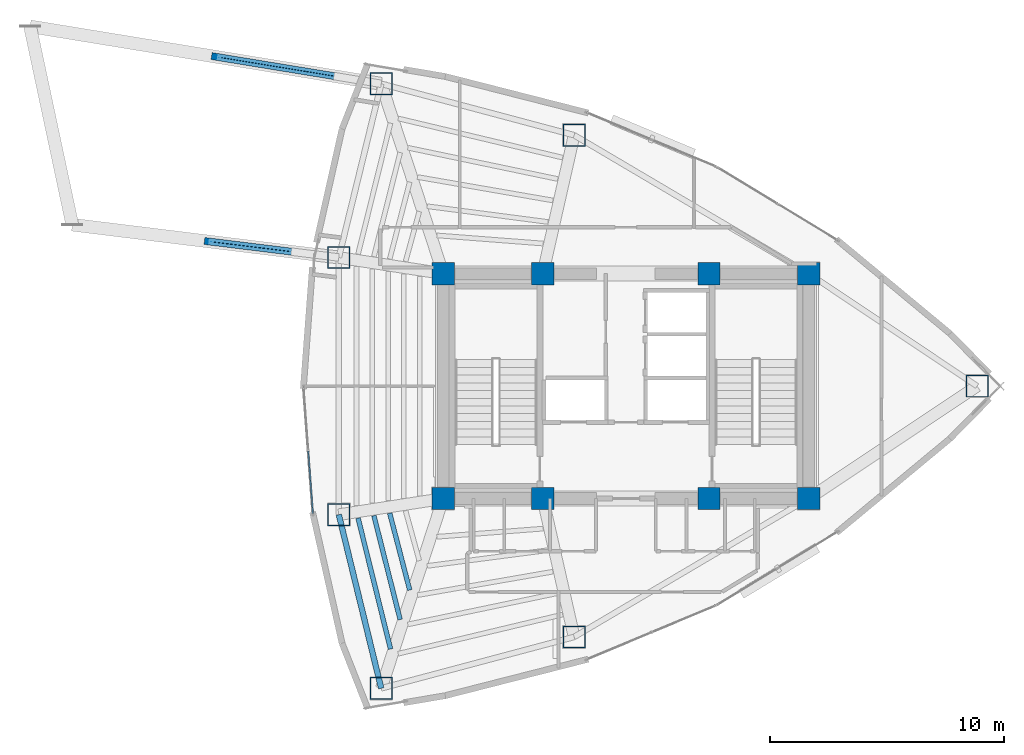
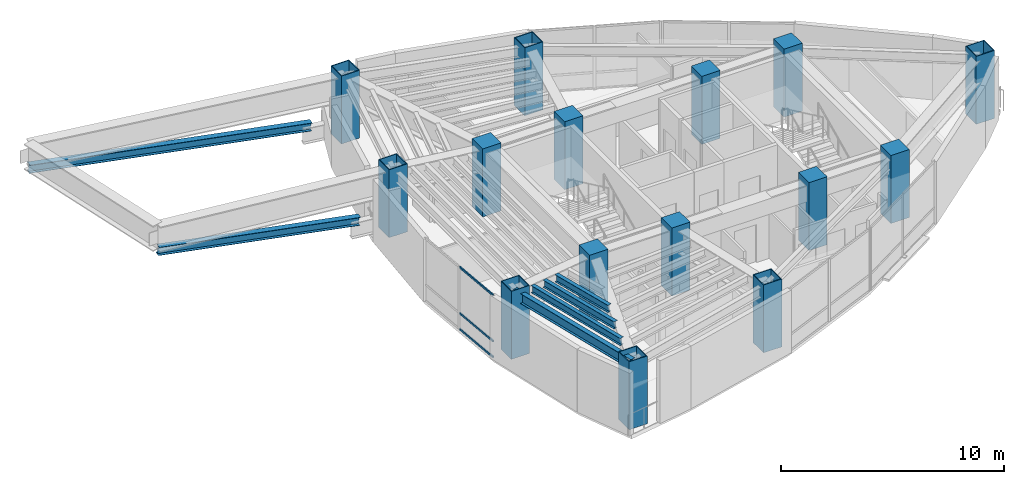
# One storey, part 1 of 14: 17 columns, 4 beams, 3 members, 1 element without a shape of its own.
"""IFC4 building model written with IfcOpenShell, lengths in metres."""

import ifcopenshell
import ifcopenshell.guid

model = None  # the IFC model being written
_history = None  # IfcOwnerHistory: only IFC2X3 demands one
_inside = {}  # id of a spatial element -> (the spatial element, [elements in it])
_under = {}  # id of a project, library or spatial element -> (it, [spatial elements below it])
_declared = {}  # id of a project -> (the project, [libraries it declares])
_typed = {}  # id of a type object -> (the type object, [elements of that type])
_made_of = {}  # id of a material, layer set ... -> (it, [elements and type objects made of it])


def new_model(schema):
    """Start an empty IFC model of exactly this schema.

    Asked for "IFC4X3", IfcOpenShell would pick the latest addendum, in which some entities
    have other attributes; the version numbers below select the first issue.
    IFC2X3 requires an IfcOwnerHistory on every rooted entity: one is made here for all.
    """
    global model, _history
    if schema == "IFC4X3":
        model = ifcopenshell.file(schema_version=(4, 3, 0, 0))
    else:
        model = ifcopenshell.file(schema=schema)
    _inside.clear()
    _under.clear()
    _declared.clear()
    _typed.clear()
    _made_of.clear()
    _history = None
    if model.schema == "IFC2X3":
        org = make("IfcOrganization", Name="unknown")
        user = make(
            "IfcPersonAndOrganization",
            ThePerson=make("IfcPerson", FamilyName="unknown"),
            TheOrganization=org,
        )
        app = make(
            "IfcApplication",
            ApplicationDeveloper=org,
            Version="unknown",
            ApplicationFullName="unknown",
            ApplicationIdentifier="unknown",
        )
        _history = make(
            "IfcOwnerHistory",
            OwningUser=user,
            OwningApplication=app,
            ChangeAction="ADDED",
            CreationDate=0,
        )
    return model


def make(cls, **values):
    """One entity of the class cls with the attributes given. An attribute that is None is left unset."""
    return model.create_entity(
        cls, **{name: value for name, value in values.items() if value is not None}
    )


def rooted(cls, **values):
    """An entity with a GlobalId (a new one), such as an element, a storey or a relation."""
    return make(cls, GlobalId=ifcopenshell.guid.new(), OwnerHistory=_history, **values)


def si_unit(unit_type, name, prefix=None):
    """IfcSIUnit, for example si_unit("LENGTHUNIT", "METRE", prefix="MILLI")."""
    return make("IfcSIUnit", UnitType=unit_type, Prefix=prefix, Name=name)


def assignment(units):
    """IfcUnitAssignment: the units of a project."""
    return None if units is None else make("IfcUnitAssignment", Units=units)


def point(xyz):
    """IfcCartesianPoint."""
    return None if xyz is None else make("IfcCartesianPoint", Coordinates=xyz)


def direction(xyz):
    """IfcDirection."""
    return None if xyz is None else make("IfcDirection", DirectionRatios=xyz)


def frame(location, z_axis=None, x_axis=None):
    """IfcAxis2Placement3D, a coordinate frame: its origin and axes. An axis left out is left unset."""
    return make(
        "IfcAxis2Placement3D",
        Location=point(location),
        Axis=direction(z_axis),
        RefDirection=direction(x_axis),
    )


def frame_2d(location, x_axis=None):
    """IfcAxis2Placement2D, a coordinate frame in the plane: its origin and x axis."""
    return make(
        "IfcAxis2Placement2D", Location=point(location), RefDirection=direction(x_axis)
    )


def origin():
    """The frame at (0, 0, 0) with its axes left unset."""
    return frame((0.0, 0.0, 0.0))


def origin_2d():
    """The frame at (0, 0) in the plane with its x axis left unset."""
    return frame_2d((0.0, 0.0))


def place(relative_to, where):
    """IfcLocalPlacement: puts the frame where relative to a parent placement (None: the world)."""
    return make(
        "IfcLocalPlacement", PlacementRelTo=relative_to, RelativePlacement=where
    )


def context(
    kind, dimensions, precision=None, world=None, true_north=None, identifier=None
):
    """IfcGeometricRepresentationContext, for example the 3D "Model" context."""
    return make(
        "IfcGeometricRepresentationContext",
        ContextIdentifier=identifier,
        ContextType=kind,
        CoordinateSpaceDimension=dimensions,
        Precision=precision,
        WorldCoordinateSystem=world,
        TrueNorth=true_north,
    )


def subcontext(parent, identifier, kind, view, scale=None):
    """IfcGeometricRepresentationSubContext, for example "Body" below "Model"."""
    return make(
        "IfcGeometricRepresentationSubContext",
        ContextIdentifier=identifier,
        ContextType=kind,
        ParentContext=parent,
        TargetScale=scale,
        TargetView=view,
    )


def project(units=None, contexts=None):
    """IfcProject with its units and contexts."""
    return rooted(
        "IfcProject",
        Name="project",
        RepresentationContexts=contexts,
        UnitsInContext=assignment(units),
    )


def spatial(cls, under=None, at=None, **own):
    """A site, building, storey or space (cls), placed at a placement, below another one or the project."""
    s = rooted(cls, ObjectPlacement=at, **own)
    if under is not None:
        _under.setdefault(under.id(), (under, []))[1].append(s)
    return s


def profile(cls, at=None, kind="AREA", **sizes):
    """A parametric profile (cls). Its sizes go by their IFC names, for example OverallWidth=200.0."""
    return make(cls, ProfileType=kind, Position=at, **sizes)


def rectangle(**sizes):
    """IfcRectangleProfileDef."""
    return profile("IfcRectangleProfileDef", **sizes)


def hollow_rectangle(**sizes):
    """IfcRectangleHollowProfileDef."""
    return profile("IfcRectangleHollowProfileDef", **sizes)


def i_section(**sizes):
    """IfcIShapeProfileDef."""
    return profile("IfcIShapeProfileDef", **sizes)


def extrude(swept, where, along, depth):
    """IfcExtrudedAreaSolid: the profile swept, set in the frame where, extruded along a direction by depth."""
    return make(
        "IfcExtrudedAreaSolid",
        SweptArea=swept,
        Position=where,
        ExtrudedDirection=direction(along),
        Depth=depth,
    )


def shape(context_of_items, identifier, shape_type, items):
    """IfcShapeRepresentation: the items that make up one representation, for example the "Body"."""
    return make(
        "IfcShapeRepresentation",
        ContextOfItems=context_of_items,
        RepresentationIdentifier=identifier,
        RepresentationType=shape_type,
        Items=items,
    )


def material(Name=None, Category=None):
    """IfcMaterial."""
    return make("IfcMaterial", Name=Name, Category=Category)


def layer(
    of_material, thickness, ventilated=None, Name=None, Category=None, Priority=None
):
    """IfcMaterialLayer: one layer of a wall or slab, of a material (None: an air gap)."""
    return make(
        "IfcMaterialLayer",
        Material=of_material,
        LayerThickness=thickness,
        IsVentilated=ventilated,
        Name=Name,
        Category=Category,
        Priority=Priority,
    )


def layer_set(layers, Name=None):
    """IfcMaterialLayerSet."""
    return make("IfcMaterialLayerSet", MaterialLayers=layers, LayerSetName=Name)


def material_profile(
    of_material, cross_section, Name=None, Category=None, Priority=None
):
    """IfcMaterialProfile: a cross section and its material."""
    return make(
        "IfcMaterialProfile",
        Name=Name,
        Material=of_material,
        Profile=cross_section,
        Priority=Priority,
        Category=Category,
    )


def profile_set(profiles, Name=None, composite=None):
    """IfcMaterialProfileSet."""
    return make(
        "IfcMaterialProfileSet",
        Name=Name,
        MaterialProfiles=profiles,
        CompositeProfile=composite,
    )


def made_of(thing, what):
    """Note that an element or type object is made of a material, layer set ...; save() writes the relation."""
    if what is not None:
        _made_of.setdefault(what.id(), (what, []))[1].append(thing)
    return thing


def type_object(cls, material=None, **own):
    """A type object (cls), such as IfcWallType, which elements share."""
    return made_of(rooted(cls, **own), material)


def element(
    cls,
    number,
    at=None,
    inside=None,
    cuts=None,
    type_object=None,
    material=None,
    context=None,
    identifier="Body",
    shape_type=None,
    held_by="IfcProductDefinitionShape",
    body=None,
    shapes=None,
    **own,
):
    """One element of the class cls, such as IfcWall. Its Tag is "e" and its number.

    at: its placement. inside: the storey or other place that contains it. cuts: it is an
    opening in that element (IfcRelVoidsElement). A single representation is given by context,
    identifier, shape_type and body (its items); several are given by shapes. held_by: the class
    of the entity that holds the representations. save() writes the other relations.
    """
    e = rooted(cls, Tag="e%d" % number, ObjectPlacement=at, **own)
    if body is not None:
        shapes = [shape(context, identifier, shape_type, body)]
    if shapes is not None:
        e.Representation = make(held_by, Representations=shapes)
    if inside is not None:
        _inside.setdefault(inside.id(), (inside, []))[1].append(e)
    if cuts is not None:
        rooted(
            "IfcRelVoidsElement", RelatingBuildingElement=cuts, RelatedOpeningElement=e
        )
    if type_object is not None:
        _typed.setdefault(type_object.id(), (type_object, []))[1].append(e)
    return made_of(e, material)


def aggregate(whole, parts):
    """IfcRelAggregates: a whole, such as a stair, and the parts it consists of."""
    return rooted("IfcRelAggregates", RelatingObject=whole, RelatedObjects=parts)


def save(model, path):
    """Write the relations noted so far, then the file.

    IfcRelAggregates (storeys below a building ...), IfcRelContainedInSpatialStructure (elements
    in a storey), IfcRelDefinesByType, IfcRelAssociatesMaterial and IfcRelDeclares: one each for
    every whole, place, type object, material and project.
    """
    for whole, parts in _under.values():
        aggregate(whole, parts)
    for where, things in _inside.values():
        rooted(
            "IfcRelContainedInSpatialStructure",
            RelatedElements=things,
            RelatingStructure=where,
        )
    for kind, things in _typed.values():
        rooted("IfcRelDefinesByType", RelatedObjects=things, RelatingType=kind)
    for what, things in _made_of.values():
        rooted("IfcRelAssociatesMaterial", RelatedObjects=things, RelatingMaterial=what)
    for by, libraries in _declared.values():
        rooted("IfcRelDeclares", RelatingContext=by, RelatedDefinitions=libraries)
    model.write(path)


model = new_model("IFC4")

# Units and contexts
model_context = context("Model", 3, precision=1e-05, world=origin(), true_north=direction((0.0, 1.0)))
body_context = subcontext(model_context, "Body", "Model", "MODEL_VIEW")
ifc_project = project(units=[si_unit("LENGTHUNIT", "METRE"), si_unit("AREAUNIT", "SQUARE_METRE"), si_unit("VOLUMEUNIT", "CUBIC_METRE"), si_unit("PLANEANGLEUNIT", "RADIAN"), si_unit("MASSUNIT", "GRAM", prefix="KILO")], contexts=[model_context])

# Site, building, storey
site_placement = place(None, origin())
site = spatial("IfcSite", under=ifc_project, at=site_placement, CompositionType="ELEMENT")
building_placement = place(site_placement, origin())
building = spatial("IfcBuilding", under=site, at=building_placement, Name="Menara Vayukalpa", CompositionType="ELEMENT")
storey_placement = place(building_placement, frame((0.0, 0.0, 191.52001953125)))
storey = spatial("IfcBuildingStorey", under=building, at=storey_placement, Name="L48", CompositionType="ELEMENT", Elevation=191.52001953125)

# Columns
ifc_material_1 = material(Name="Concrete C60/75", Category="concrete")
ifc_material_profile_1 = material_profile(ifc_material_1, rectangle(XDim=0.949951171875, YDim=0.949951171875, at=origin_2d()), Name="RC 950x950")
ifc_profile_set_1 = profile_set([ifc_material_profile_1], Name="Concrete C60/75")
column_type_1 = type_object("IfcColumnType", Name="COL-CC2", PredefinedType="COLUMN", material=ifc_profile_set_1)
for number, where, z_axis, x_axis, name in (
    (1, (17.800048828125, 17.199951171875, 0.0), (0.0, 0.0, 1.0), (1.0, 0.0, 0.0), "L48 Core Pilaster Column CC1"),
    (2, (22.050048828125, 17.199951171875, 0.0), (0.0, 0.0, 1.0), (1.0, 0.0, 0.0), "L48 Core Pilaster Column CC2"),
    (3, (29.14990234375, 17.199951171875, 0.0), (0.0, 0.0, 1.0), (1.0, 0.0, 0.0), "L48 Core Pilaster Column CC3"),
    (4, (33.39990234375, 17.199951171875, 0.0), (0.0, 0.0, 1.0), (1.0, 0.0, 0.0), "L48 Core Pilaster Column CC4"),
    (5, (17.800048828125, 26.800048828125, 0.0), (0.0, 0.0, 1.0), (1.0, 0.0, 0.0), "L48 Core Pilaster Column CC5"),
    (6, (22.050048828125, 26.800048828125, 0.0), (0.0, 0.0, 1.0), (1.0, 0.0, 0.0), "L48 Core Pilaster Column CC6"),
    (7, (29.14990234375, 26.800048828125, 0.0), (0.0, 0.0, 1.0), (1.0, 0.0, 0.0), "L48 Core Pilaster Column CC7"),
    (8, (33.39990234375, 26.800048828125, 0.0), (0.0, 0.0, 1.0), (1.0, 0.0, 0.0), "L48 Core Pilaster Column CC8"),
):
    element("IfcColumn", number, at=place(storey_placement, frame(where, z_axis=z_axis, x_axis=x_axis)), inside=storey, type_object=column_type_1, Name=name, PredefinedType="COLUMN", context=body_context, shape_type="SweptSolid", body=[
        extrude(rectangle(XDim=0.949951171875, YDim=0.949951171875, at=origin_2d()), origin(), (0.0, 0.0, 1.0), 3.719970703125),
    ])
ifc_material_2 = material(Name="Steel S460", Category="steel")
ifc_material_profile_2 = material_profile(ifc_material_2, hollow_rectangle(XDim=0.949951171875, YDim=0.949951171875, WallThickness=0.0400390625, at=origin_2d()), Name="BOX 950x950x40")
ifc_profile_set_2 = profile_set([ifc_material_profile_2], Name="Steel S460")
column_type_2 = type_object("IfcColumnType", Name="COL-MC4", PredefinedType="COLUMN", material=ifc_profile_set_2)
for number, where, z_axis, x_axis, name in (
    (9, (40.590576171875, 22.0, 0.0), (0.0, 0.0, 1.0), (1.0, 0.0, 0.0), "L48 Perimeter Mega Column P01"),
    (10, (23.389404296875, 32.70849609375, 0.0), (0.0, 0.0, 1.0), (1.0, 0.0, 0.0), "L48 Perimeter Mega Column P03"),
    (11, (15.15478515625, 34.902587890625, 0.0), (0.0, 0.0, 1.0), (1.0, 0.0, 0.0), "L48 Perimeter Mega Column P04"),
    (12, (13.343994140625, 27.4892578125, 0.0), (0.0, 0.0, 1.0), (1.0, 0.0, 0.0), "L48 Perimeter Mega Column P05"),
    (13, (13.343994140625, 16.5107421875, 0.0), (0.0, 0.0, 1.0), (1.0, 0.0, 0.0), "L48 Perimeter Mega Column P06"),
    (14, (15.15478515625, 9.097412109375, 0.0), (0.0, 0.0, 1.0), (1.0, 0.0, 0.0), "L48 Perimeter Mega Column P07"),
    (15, (23.389404296875, 11.29150390625, 0.0), (0.0, 0.0, 1.0), (1.0, 0.0, 0.0), "L48 Perimeter Mega Column P08"),
):
    element("IfcColumn", number, at=place(storey_placement, frame(where, z_axis=z_axis, x_axis=x_axis)), inside=storey, type_object=column_type_2, Name=name, PredefinedType="COLUMN", context=body_context, shape_type="SweptSolid", body=[
        extrude(hollow_rectangle(XDim=0.949951171875, YDim=0.949951171875, WallThickness=0.0400390625, at=origin_2d()), origin(), (0.0, 0.0, 1.0), 3.719970703125),
    ])
ifc_material_3 = material(Name="Steel S355", Category="steel")
ifc_material_profile_3 = material_profile(ifc_material_3, i_section(OverallWidth=0.300048828125, OverallDepth=0.43994140625, WebThickness=0.010986328125, FlangeThickness=0.01806640625, at=origin_2d()), Name="H 440x300x11x18")
ifc_profile_set_3 = profile_set([ifc_material_profile_3], Name="Steel S355")
column_type_3 = type_object("IfcColumnType", Name="COL-SC2E", PredefinedType="COLUMN", material=ifc_profile_set_3)
column_1_placement = place(storey_placement, frame((13.5263671875, 35.1689453125, 0.989990234375), z_axis=(-0.984034614724, 0.160999980635, 0.075860946873), x_axis=(-0.16146525786, -0.98687839702, 0.0)))
element("IfcColumn", 16, at=column_1_placement, inside=storey, type_object=column_type_3, Name="L48 SB4 Exterior Inclined Mega Strut 04", PredefinedType="COLUMN", context=body_context, shape_type="SweptSolid", body=[
    extrude(i_section(OverallWidth=0.300048828125, OverallDepth=0.43994140625, WebThickness=0.010986328125, FlangeThickness=0.01806640625, at=origin_2d()), origin(), (0.0, 0.0, 1.0), 13.577880859375),
])
column_2_placement = place(storey_placement, frame((11.706298828125, 27.69091796875, 0.989990234375), z_axis=(-0.987092081771, 0.121459707467, 0.104387554656), x_axis=(-0.122126924057, -0.992514490786, 0.0)))
element("IfcColumn", 17, at=column_2_placement, inside=storey, type_object=column_type_3, Name="L48 SB4 Exterior Inclined Mega Strut 05", PredefinedType="COLUMN", context=body_context, shape_type="SweptSolid", body=[
    extrude(i_section(OverallWidth=0.300048828125, OverallDepth=0.43994140625, WebThickness=0.010986328125, FlangeThickness=0.01806640625, at=origin_2d()), origin(), (0.0, 0.0, 1.0), 9.867431640625),
])

# Beams
ifc_material_4 = material(Name="Steel S355", Category="steel")
ifc_material_profile_4 = material_profile(ifc_material_4, i_section(OverallWidth=0.199951171875, OverallDepth=0.39990234375, WebThickness=0.008056640625, FlangeThickness=0.012939453125, at=origin_2d()), Name="WF 400x200x8x13")
ifc_profile_set_4 = profile_set([ifc_material_profile_4], Name="Steel S355")
beam_type_1 = type_object("IfcBeamType", Name="BM-SJ2", PredefinedType="JOIST", material=ifc_profile_set_4)
beam_1_placement = place(storey_placement, frame((15.516357421875, 16.574951171875, 3.239990234375), z_axis=(0.251768645985, -0.967787450269, 0.0), x_axis=(0.967787450269, 0.251768645985, 0.0)))
element("IfcBeam", 18, at=beam_1_placement, inside=storey, type_object=beam_type_1, Name="L48 Secondary Floor Joist SJ06-3", PredefinedType="JOIST", context=body_context, shape_type="SweptSolid", body=[
    extrude(i_section(OverallWidth=0.199951171875, OverallDepth=0.39990234375, WebThickness=0.008056640625, FlangeThickness=0.012939453125, at=origin_2d()), origin(), (0.0, 0.0, 1.0), 3.39306640625),
])
beam_2_placement = place(storey_placement, frame((14.841064453125, 16.470458984375, 3.239990234375), z_axis=(0.244857039834, -0.969559193677, 0.0), x_axis=(0.969559193677, 0.244857039834, 0.0)))
element("IfcBeam", 19, at=beam_2_placement, inside=storey, type_object=beam_type_1, Name="L48 Secondary Floor Joist SJ06-4", PredefinedType="JOIST", context=body_context, shape_type="SweptSolid", body=[
    extrude(i_section(OverallWidth=0.199951171875, OverallDepth=0.39990234375, WebThickness=0.008056640625, FlangeThickness=0.012939453125, at=origin_2d()), origin(), (0.0, 0.0, 1.0), 4.57666015625),
])
beam_3_placement = place(storey_placement, frame((14.16650390625, 16.365966796875, 3.239990234375), z_axis=(0.240540477714, -0.97063910831, 0.0), x_axis=(0.97063910831, 0.240540477714, 0.0)))
element("IfcBeam", 20, at=beam_3_placement, inside=storey, type_object=beam_type_1, Name="L48 Secondary Floor Joist SJ06-5", PredefinedType="JOIST", context=body_context, shape_type="SweptSolid", body=[
    extrude(i_section(OverallWidth=0.199951171875, OverallDepth=0.39990234375, WebThickness=0.008056640625, FlangeThickness=0.012939453125, at=origin_2d()), origin(), (0.0, 0.0, 1.0), 5.760009765625),
])
ifc_material_5 = material(Name="Steel S355", Category="steel")
ifc_material_profile_5 = material_profile(ifc_material_5, i_section(OverallWidth=0.239990234375, OverallDepth=0.550048828125, WebThickness=0.010986328125, FlangeThickness=0.01904296875, at=origin_2d()), Name="WF 550x240x11x19")
ifc_profile_set_5 = profile_set([ifc_material_profile_5], Name="Steel S355")
beam_type_2 = type_object("IfcBeamType", Name="BM-SP2", PredefinedType="SPANDREL", material=ifc_profile_set_5)
beam_4_placement = place(storey_placement, frame((13.343994140625, 16.5107421875, 3.1650390625), z_axis=(0.237285374413, -0.971439988414, 0.0), x_axis=(0.971439988414, 0.237285374413, 0.0)))
element("IfcBeam", 21, at=beam_4_placement, inside=storey, type_object=beam_type_2, Name="L48 Perimeter Spandrel Beam SP06", PredefinedType="SPANDREL", context=body_context, shape_type="SweptSolid", body=[
    extrude(i_section(OverallWidth=0.239990234375, OverallDepth=0.550048828125, WebThickness=0.010986328125, FlangeThickness=0.01904296875, at=origin_2d()), origin(), (0.0, 0.0, 1.0), 7.63134765625),
])

# Curtain wall, members
ifc_material_6 = material(Name="Anodised Terracotta Aluminium Alloy 6063-T6", Category="masonry")
ifc_layer = layer(ifc_material_6, 0.139892578125)
ifc_layer_set = layer_set([ifc_layer], Name="Anodised Terracotta Aluminium Alloy 6063-T6")
curtain_wall_type = type_object("IfcCurtainWallType", Name="CW-CW5", PredefinedType="USERDEFINED", material=ifc_layer_set)
curtain_wall_placement = place(storey_placement, origin())
curtain_wall = element("IfcCurtainWall", 22, at=curtain_wall_placement, inside=storey, type_object=curtain_wall_type, Name="L48 High Rise Tapered Curtain Wall CW5 11", ObjectType="UNITISED", PredefinedType="USERDEFINED")
ifc_material_7 = material(Name="Anodised Terracotta Aluminium Alloy 6063-T6", Category="masonry")
ifc_material_profile_6 = material_profile(ifc_material_7, hollow_rectangle(XDim=0.06005859375, YDim=0.10498046875, WallThickness=0.0029296875, at=origin_2d()), Name="ALU 60x105x3")
ifc_profile_set_6 = profile_set([ifc_material_profile_6], Name="Anodised Terracotta Aluminium Alloy 6063-T6")
member_type = type_object("IfcMemberType", Name="CWT-CW5", PredefinedType="USERDEFINED", material=ifc_profile_set_6)
member_1_placement = place(storey_placement, frame((12.040283203125, 19.2255859375, 0.030029296875), z_axis=(0.074824141952, -0.997196744771, 0.0), x_axis=(0.997196744771, 0.074824141952, 0.0)))
member_1 = element("IfcMember", 23, at=member_1_placement, type_object=member_type, Name="CW5 transom 2.1", ObjectType="TRANSOM", PredefinedType="USERDEFINED", context=body_context, shape_type="SweptSolid", body=[
    extrude(hollow_rectangle(XDim=0.06005859375, YDim=0.10498046875, WallThickness=0.0029296875, at=origin_2d()), origin(), (0.0, 0.0, 1.0), 2.66259765625),
])
member_2_placement = place(storey_placement, frame((12.040283203125, 19.2255859375, 0.89990234375), z_axis=(0.074824141952, -0.997196744771, 0.0), x_axis=(0.997196744771, 0.074824141952, 0.0)))
member_2 = element("IfcMember", 24, at=member_2_placement, type_object=member_type, Name="CW5 transom 2.2", ObjectType="TRANSOM", PredefinedType="USERDEFINED", context=body_context, shape_type="SweptSolid", body=[
    extrude(hollow_rectangle(XDim=0.06005859375, YDim=0.10498046875, WallThickness=0.0029296875, at=origin_2d()), origin(), (0.0, 0.0, 1.0), 2.66259765625),
])
member_3_placement = place(storey_placement, frame((12.040283203125, 19.2255859375, 3.409912109375), z_axis=(0.074824141952, -0.997196744771, 0.0), x_axis=(0.997196744771, 0.074824141952, 0.0)))
member_3 = element("IfcMember", 25, at=member_3_placement, type_object=member_type, Name="CW5 transom 2.3", ObjectType="TRANSOM", PredefinedType="USERDEFINED", context=body_context, shape_type="SweptSolid", body=[
    extrude(hollow_rectangle(XDim=0.06005859375, YDim=0.10498046875, WallThickness=0.0029296875, at=origin_2d()), origin(), (0.0, 0.0, 1.0), 2.66259765625),
])
aggregate(curtain_wall, [member_1, member_2, member_3])

save(model, "model.ifc")
